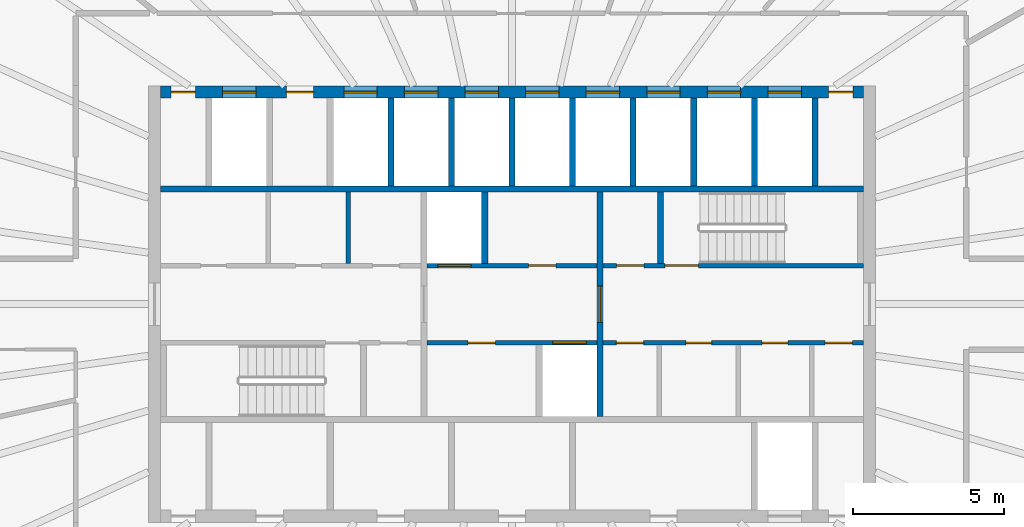
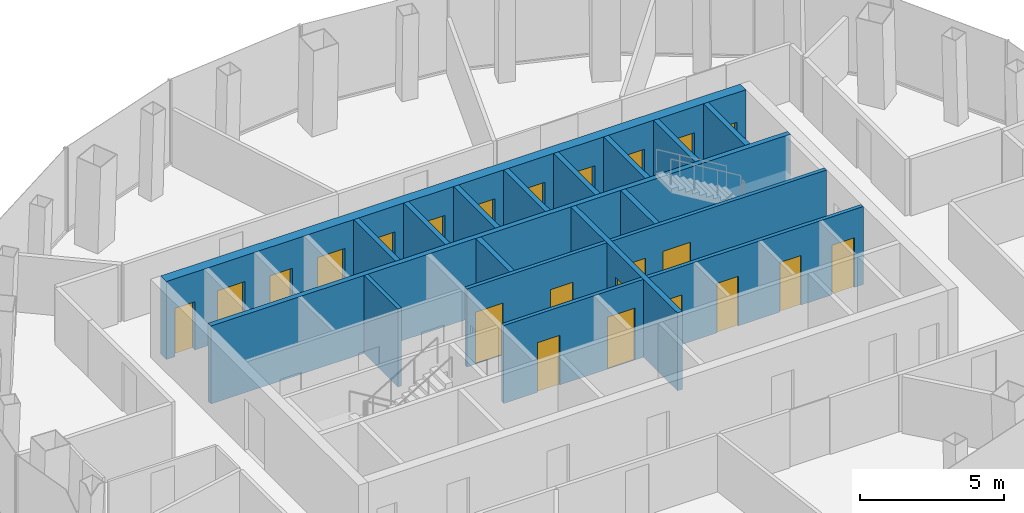
# One storey, part 10 of 12: 23 doors, 18 walls, 23 openings.
"""IFC4 building model written with IfcOpenShell, lengths in metres."""

from ifc_helpers import new_model, si_unit, direction, frame, frame_2d, origin, place, context, subcontext, project, spatial, rectangle, extrude, material, layer, layer_set, type_object, element, fill, save


model = new_model("IFC4")

# Units and contexts
model_context = context("Model", 3, precision=1e-05, world=origin(), true_north=direction((0.0, 1.0)))
body_context = subcontext(model_context, "Body", "Model", "MODEL_VIEW")
ifc_project = project(units=[si_unit("LENGTHUNIT", "METRE"), si_unit("AREAUNIT", "SQUARE_METRE"), si_unit("VOLUMEUNIT", "CUBIC_METRE"), si_unit("PLANEANGLEUNIT", "RADIAN"), si_unit("MASSUNIT", "GRAM", prefix="KILO")], contexts=[model_context])

# Site, building, storey
site_placement = place(None, origin())
site = spatial("IfcSite", under=ifc_project, at=site_placement, CompositionType="ELEMENT")
building_placement = place(site_placement, origin())
building = spatial("IfcBuilding", under=site, at=building_placement, Name="Siaravel Broadcast Tower", CompositionType="ELEMENT")
storey_placement = place(building_placement, frame((0.0, 0.0, 235.60009765625)))
storey = spatial("IfcBuildingStorey", under=building, at=storey_placement, Name="L57", CompositionType="ELEMENT", Elevation=235.60009765625)

# Wall
ifc_material_1 = material(Name="Concrete blockwork", Category="masonry")
ifc_layer_1 = layer(ifc_material_1, 0.14990234375)
ifc_layer_set_1 = layer_set([ifc_layer_1], Name="Concrete blockwork")
wall_type_1 = type_object("IfcWallType", Name="Core partition 150", PredefinedType="PARTITIONING", material=ifc_layer_set_1)
wall_1_placement = place(storey_placement, frame((-5.39892578125, 1.35009765625, 0.0), z_axis=(0.0, 0.0, 1.0), x_axis=(0.0, 1.0, 0.0)))
element("IfcWall", 1, at=wall_1_placement, inside=storey, type_object=wall_type_1, Name="L57 core partition PNW1", PredefinedType="PARTITIONING", context=body_context, shape_type="SweptSolid", body=[
    extrude(rectangle(XDim=2.349853515625, YDim=0.14990234375, at=frame_2d((1.1748046875, 0.0))), origin(), (0.0, 0.0, 1.0), 3.2998046875),
])

# Wall, openings, doors
ifc_material_2 = material(Name="Concrete C60/75", Category="concrete")
ifc_layer_2 = layer(ifc_material_2, 0.39990234375)
ifc_layer_set_2 = layer_set([ifc_layer_2], Name="Concrete C60/75")
wall_type_2 = type_object("IfcWallType", Name="Core wall 400", PredefinedType="SHEAR", material=ifc_layer_set_2)
wall_2_placement = place(storey_placement, frame((-11.60009765625, 7.0, 0.0), z_axis=(0.0, 0.0, 1.0), x_axis=(1.0, 0.0, 0.0)))
wall_2 = element("IfcWall", 2, at=wall_2_placement, inside=storey, type_object=wall_type_2, Name="L57 core wall ON", PredefinedType="SHEAR", context=body_context, shape_type="SweptSolid", body=[
    extrude(rectangle(XDim=23.2001953125, YDim=0.39990234375, at=frame_2d((11.60009765625, 0.0))), origin(), (0.0, 0.0, 1.0), 3.2998046875),
])
opening_1_placement = place(wall_2_placement, frame((2.050048828125, 0.0, 0.0)))
opening_1 = element("IfcOpeningElement", 3, at=opening_1_placement, cuts=wall_2, Name="Opening LD-SV2-L57", PredefinedType="OPENING", context=body_context, shape_type="SweptSolid", body=[
    extrude(rectangle(XDim=1.10009765625, YDim=2.199951171875, at=frame_2d((0.550048828125, 1.10009765625))), frame((0.0, 0.2099609375, 0.0), z_axis=(0.0, -1.0, 0.0), x_axis=(1.0, 0.0, 0.0)), (0.0, 0.0, 1.0), 0.419921875),
])
opening_2_placement = place(wall_2_placement, frame((6.050048828125, 0.0, 0.0)))
opening_2 = element("IfcOpeningElement", 4, at=opening_2_placement, cuts=wall_2, Name="Opening LD-HP1-L57", PredefinedType="OPENING", context=body_context, shape_type="SweptSolid", body=[
    extrude(rectangle(XDim=1.10009765625, YDim=2.199951171875, at=frame_2d((0.550048828125, 1.10009765625))), frame((0.0, 0.2099609375, 0.0), z_axis=(0.0, -1.0, 0.0), x_axis=(1.0, 0.0, 0.0)), (0.0, 0.0, 1.0), 0.419921875),
])
opening_3_placement = place(wall_2_placement, frame((8.050048828125, 0.0, 0.0)))
opening_3 = element("IfcOpeningElement", 5, at=opening_3_placement, cuts=wall_2, Name="Opening LD-HP2-L57", PredefinedType="OPENING", context=body_context, shape_type="SweptSolid", body=[
    extrude(rectangle(XDim=1.10009765625, YDim=2.199951171875, at=frame_2d((0.550048828125, 1.10009765625))), frame((0.0, 0.2099609375, 0.0), z_axis=(0.0, -1.0, 0.0), x_axis=(1.0, 0.0, 0.0)), (0.0, 0.0, 1.0), 0.419921875),
])
opening_4_placement = place(wall_2_placement, frame((10.050048828125, 0.0, 0.0)))
opening_4 = element("IfcOpeningElement", 6, at=opening_4_placement, cuts=wall_2, Name="Opening LD-HP3-L57", PredefinedType="OPENING", context=body_context, shape_type="SweptSolid", body=[
    extrude(rectangle(XDim=1.10009765625, YDim=2.199951171875, at=frame_2d((0.550048828125, 1.10009765625))), frame((0.0, 0.2099609375, 0.0), z_axis=(0.0, -1.0, 0.0), x_axis=(1.0, 0.0, 0.0)), (0.0, 0.0, 1.0), 0.419921875),
])
opening_5_placement = place(wall_2_placement, frame((12.050048828125, 0.0, 0.0)))
opening_5 = element("IfcOpeningElement", 7, at=opening_5_placement, cuts=wall_2, Name="Opening LD-HP4-L57", PredefinedType="OPENING", context=body_context, shape_type="SweptSolid", body=[
    extrude(rectangle(XDim=1.10009765625, YDim=2.199951171875, at=frame_2d((0.550048828125, 1.10009765625))), frame((0.0, 0.2099609375, 0.0), z_axis=(0.0, -1.0, 0.0), x_axis=(1.0, 0.0, 0.0)), (0.0, 0.0, 1.0), 0.419921875),
])
opening_6_placement = place(wall_2_placement, frame((14.050048828125, 0.0, 0.0)))
opening_6 = element("IfcOpeningElement", 8, at=opening_6_placement, cuts=wall_2, Name="Opening LD-HP5-L57", PredefinedType="OPENING", context=body_context, shape_type="SweptSolid", body=[
    extrude(rectangle(XDim=1.10009765625, YDim=2.199951171875, at=frame_2d((0.550048828125, 1.10009765625))), frame((0.0, 0.2099609375, 0.0), z_axis=(0.0, -1.0, 0.0), x_axis=(1.0, 0.0, 0.0)), (0.0, 0.0, 1.0), 0.419921875),
])
opening_7_placement = place(wall_2_placement, frame((16.050048828125, 0.0, 0.0)))
opening_7 = element("IfcOpeningElement", 9, at=opening_7_placement, cuts=wall_2, Name="Opening LD-HP6-L57", PredefinedType="OPENING", context=body_context, shape_type="SweptSolid", body=[
    extrude(rectangle(XDim=1.10009765625, YDim=2.199951171875, at=frame_2d((0.550048828125, 1.10009765625))), frame((0.0, 0.2099609375, 0.0), z_axis=(0.0, -1.0, 0.0), x_axis=(1.0, 0.0, 0.0)), (0.0, 0.0, 1.0), 0.419921875),
])
opening_8_placement = place(wall_2_placement, frame((18.050048828125, 0.0, 0.0)))
opening_8 = element("IfcOpeningElement", 10, at=opening_8_placement, cuts=wall_2, Name="Opening LD-HP7-L57", PredefinedType="OPENING", context=body_context, shape_type="SweptSolid", body=[
    extrude(rectangle(XDim=1.10009765625, YDim=2.199951171875, at=frame_2d((0.550048828125, 1.10009765625))), frame((0.0, 0.2099609375, 0.0), z_axis=(0.0, -1.0, 0.0), x_axis=(1.0, 0.0, 0.0)), (0.0, 0.0, 1.0), 0.419921875),
])
opening_9_placement = place(wall_2_placement, frame((20.050048828125, 0.0, 0.0)))
opening_9 = element("IfcOpeningElement", 11, at=opening_9_placement, cuts=wall_2, Name="Opening LD-HP8-L57", PredefinedType="OPENING", context=body_context, shape_type="SweptSolid", body=[
    extrude(rectangle(XDim=1.10009765625, YDim=2.199951171875, at=frame_2d((0.550048828125, 1.10009765625))), frame((0.0, 0.2099609375, 0.0), z_axis=(0.0, -1.0, 0.0), x_axis=(1.0, 0.0, 0.0)), (0.0, 0.0, 1.0), 0.419921875),
])
opening_10_placement = place(wall_2_placement, frame((4.14990234375, 0.0, 0.0)))
opening_10 = element("IfcOpeningElement", 12, at=opening_10_placement, cuts=wall_2, Name="Opening L57-DFN1", PredefinedType="OPENING", context=body_context, shape_type="SweptSolid", body=[
    extrude(rectangle(XDim=0.89990234375, YDim=2.10009765625, at=frame_2d((0.449951171875, 1.050048828125))), frame((0.0, 0.2099609375, 0.0), z_axis=(0.0, -1.0, 0.0), x_axis=(1.0, 0.0, 0.0)), (0.0, 0.0, 1.0), 0.419921875),
])
opening_11_placement = place(wall_2_placement, frame((0.35009765625, 0.0, 0.0)))
opening_11 = element("IfcOpeningElement", 13, at=opening_11_placement, cuts=wall_2, Name="Opening L57-DRNW", PredefinedType="OPENING", context=body_context, shape_type="SweptSolid", body=[
    extrude(rectangle(XDim=0.800048828125, YDim=2.050048828125, at=frame_2d((0.39990234375, 1.02490234375))), frame((0.0, 0.2099609375, 0.0), z_axis=(0.0, -1.0, 0.0), x_axis=(1.0, 0.0, 0.0)), (0.0, 0.0, 1.0), 0.419921875),
])
opening_12_placement = place(wall_2_placement, frame((22.050048828125, 0.0, 0.0)))
opening_12 = element("IfcOpeningElement", 14, at=opening_12_placement, cuts=wall_2, Name="Opening L57-DRNE", PredefinedType="OPENING", context=body_context, shape_type="SweptSolid", body=[
    extrude(rectangle(XDim=0.800048828125, YDim=2.050048828125, at=frame_2d((0.39990234375, 1.02490234375))), frame((0.0, 0.2099609375, 0.0), z_axis=(0.0, -1.0, 0.0), x_axis=(1.0, 0.0, 0.0)), (0.0, 0.0, 1.0), 0.419921875),
])
ifc_material_3 = material(Name="Timber veneer", Category="wood")
door_type_1 = type_object("IfcDoorType", Name="Core room door 900", OperationType="SINGLE_SWING_LEFT", PredefinedType="DOOR", material=ifc_material_3)
door_1_placement = place(opening_10_placement, origin())
door_1 = element("IfcDoor", 15, at=door_1_placement, inside=storey, type_object=door_type_1, Name="L57 door DFN1", OperationType="SINGLE_SWING_LEFT", OverallHeight=2.10009765625, OverallWidth=0.89990234375, PredefinedType="DOOR", context=body_context, shape_type="SweptSolid", body=[
    extrude(rectangle(XDim=0.89990234375, YDim=2.10009765625, at=frame_2d((0.449951171875, 1.050048828125))), frame((0.0, 0.02490234375, 0.0), z_axis=(0.0, -1.0, 0.0), x_axis=(1.0, 0.0, 0.0)), (0.0, 0.0, 1.0), 0.050048828125),
])
fill(opening_10, door_1)
ifc_material_4 = material(Name="Stainless steel 316L", Category="steel")
door_type_2 = type_object("IfcDoorType", Name="Lift landing door 1100", OperationType="DOUBLE_DOOR_SLIDING", PredefinedType="DOOR", material=ifc_material_4)
door_2_placement = place(opening_2_placement, origin())
door_2 = element("IfcDoor", 16, at=door_2_placement, inside=storey, type_object=door_type_2, Name="Landing door HP1 L57", OperationType="DOUBLE_DOOR_SLIDING", OverallHeight=2.199951171875, OverallWidth=1.10009765625, PredefinedType="DOOR", context=body_context, shape_type="SweptSolid", body=[
    extrude(rectangle(XDim=1.10009765625, YDim=2.199951171875, at=frame_2d((0.550048828125, 1.10009765625))), frame((0.0, 0.02490234375, 0.0), z_axis=(0.0, -1.0, 0.0), x_axis=(1.0, 0.0, 0.0)), (0.0, 0.0, 1.0), 0.050048828125),
])
fill(opening_2, door_2)
door_3_placement = place(opening_3_placement, origin())
door_3 = element("IfcDoor", 17, at=door_3_placement, inside=storey, type_object=door_type_2, Name="Landing door HP2 L57", OperationType="DOUBLE_DOOR_SLIDING", OverallHeight=2.199951171875, OverallWidth=1.10009765625, PredefinedType="DOOR", context=body_context, shape_type="SweptSolid", body=[
    extrude(rectangle(XDim=1.10009765625, YDim=2.199951171875, at=frame_2d((0.550048828125, 1.10009765625))), frame((0.0, 0.02490234375, 0.0), z_axis=(0.0, -1.0, 0.0), x_axis=(1.0, 0.0, 0.0)), (0.0, 0.0, 1.0), 0.050048828125),
])
fill(opening_3, door_3)
door_4_placement = place(opening_4_placement, origin())
door_4 = element("IfcDoor", 18, at=door_4_placement, inside=storey, type_object=door_type_2, Name="Landing door HP3 L57", OperationType="DOUBLE_DOOR_SLIDING", OverallHeight=2.199951171875, OverallWidth=1.10009765625, PredefinedType="DOOR", context=body_context, shape_type="SweptSolid", body=[
    extrude(rectangle(XDim=1.10009765625, YDim=2.199951171875, at=frame_2d((0.550048828125, 1.10009765625))), frame((0.0, 0.02490234375, 0.0), z_axis=(0.0, -1.0, 0.0), x_axis=(1.0, 0.0, 0.0)), (0.0, 0.0, 1.0), 0.050048828125),
])
fill(opening_4, door_4)
door_5_placement = place(opening_5_placement, origin())
door_5 = element("IfcDoor", 19, at=door_5_placement, inside=storey, type_object=door_type_2, Name="Landing door HP4 L57", OperationType="DOUBLE_DOOR_SLIDING", OverallHeight=2.199951171875, OverallWidth=1.10009765625, PredefinedType="DOOR", context=body_context, shape_type="SweptSolid", body=[
    extrude(rectangle(XDim=1.10009765625, YDim=2.199951171875, at=frame_2d((0.550048828125, 1.10009765625))), frame((0.0, 0.02490234375, 0.0), z_axis=(0.0, -1.0, 0.0), x_axis=(1.0, 0.0, 0.0)), (0.0, 0.0, 1.0), 0.050048828125),
])
fill(opening_5, door_5)
door_6_placement = place(opening_6_placement, origin())
door_6 = element("IfcDoor", 20, at=door_6_placement, inside=storey, type_object=door_type_2, Name="Landing door HP5 L57", OperationType="DOUBLE_DOOR_SLIDING", OverallHeight=2.199951171875, OverallWidth=1.10009765625, PredefinedType="DOOR", context=body_context, shape_type="SweptSolid", body=[
    extrude(rectangle(XDim=1.10009765625, YDim=2.199951171875, at=frame_2d((0.550048828125, 1.10009765625))), frame((0.0, 0.02490234375, 0.0), z_axis=(0.0, -1.0, 0.0), x_axis=(1.0, 0.0, 0.0)), (0.0, 0.0, 1.0), 0.050048828125),
])
fill(opening_6, door_6)
door_7_placement = place(opening_7_placement, origin())
door_7 = element("IfcDoor", 21, at=door_7_placement, inside=storey, type_object=door_type_2, Name="Landing door HP6 L57", OperationType="DOUBLE_DOOR_SLIDING", OverallHeight=2.199951171875, OverallWidth=1.10009765625, PredefinedType="DOOR", context=body_context, shape_type="SweptSolid", body=[
    extrude(rectangle(XDim=1.10009765625, YDim=2.199951171875, at=frame_2d((0.550048828125, 1.10009765625))), frame((0.0, 0.02490234375, 0.0), z_axis=(0.0, -1.0, 0.0), x_axis=(1.0, 0.0, 0.0)), (0.0, 0.0, 1.0), 0.050048828125),
])
fill(opening_7, door_7)
door_8_placement = place(opening_8_placement, origin())
door_8 = element("IfcDoor", 22, at=door_8_placement, inside=storey, type_object=door_type_2, Name="Landing door HP7 L57", OperationType="DOUBLE_DOOR_SLIDING", OverallHeight=2.199951171875, OverallWidth=1.10009765625, PredefinedType="DOOR", context=body_context, shape_type="SweptSolid", body=[
    extrude(rectangle(XDim=1.10009765625, YDim=2.199951171875, at=frame_2d((0.550048828125, 1.10009765625))), frame((0.0, 0.02490234375, 0.0), z_axis=(0.0, -1.0, 0.0), x_axis=(1.0, 0.0, 0.0)), (0.0, 0.0, 1.0), 0.050048828125),
])
fill(opening_8, door_8)
door_9_placement = place(opening_9_placement, origin())
door_9 = element("IfcDoor", 23, at=door_9_placement, inside=storey, type_object=door_type_2, Name="Landing door HP8 L57", OperationType="DOUBLE_DOOR_SLIDING", OverallHeight=2.199951171875, OverallWidth=1.10009765625, PredefinedType="DOOR", context=body_context, shape_type="SweptSolid", body=[
    extrude(rectangle(XDim=1.10009765625, YDim=2.199951171875, at=frame_2d((0.550048828125, 1.10009765625))), frame((0.0, 0.02490234375, 0.0), z_axis=(0.0, -1.0, 0.0), x_axis=(1.0, 0.0, 0.0)), (0.0, 0.0, 1.0), 0.050048828125),
])
fill(opening_9, door_9)
ifc_material_5 = material(Name="Steel", Category="steel")
door_type_3 = type_object("IfcDoorType", Name="Riser door 800", OperationType="SINGLE_SWING_LEFT", PredefinedType="DOOR", material=ifc_material_5)
door_10_placement = place(opening_11_placement, origin())
door_10 = element("IfcDoor", 24, at=door_10_placement, inside=storey, type_object=door_type_3, Name="L57 door DRNW", OperationType="SINGLE_SWING_LEFT", OverallHeight=2.050048828125, OverallWidth=0.800048828125, PredefinedType="DOOR", context=body_context, shape_type="SweptSolid", body=[
    extrude(rectangle(XDim=0.800048828125, YDim=2.050048828125, at=frame_2d((0.39990234375, 1.02490234375))), frame((0.0, 0.02490234375, 0.0), z_axis=(0.0, -1.0, 0.0), x_axis=(1.0, 0.0, 0.0)), (0.0, 0.0, 1.0), 0.050048828125),
])
fill(opening_11, door_10)
door_11_placement = place(opening_12_placement, origin())
door_11 = element("IfcDoor", 25, at=door_11_placement, inside=storey, type_object=door_type_3, Name="L57 door DRNE", OperationType="SINGLE_SWING_LEFT", OverallHeight=2.050048828125, OverallWidth=0.800048828125, PredefinedType="DOOR", context=body_context, shape_type="SweptSolid", body=[
    extrude(rectangle(XDim=0.800048828125, YDim=2.050048828125, at=frame_2d((0.39990234375, 1.02490234375))), frame((0.0, 0.02490234375, 0.0), z_axis=(0.0, -1.0, 0.0), x_axis=(1.0, 0.0, 0.0)), (0.0, 0.0, 1.0), 0.050048828125),
])
fill(opening_12, door_11)
door_type_4 = type_object("IfcDoorType", Name="Service lift landing door 1100", OperationType="DOUBLE_DOOR_SLIDING", PredefinedType="DOOR", material=ifc_material_4)
door_12_placement = place(opening_1_placement, origin())
door_12 = element("IfcDoor", 26, at=door_12_placement, inside=storey, type_object=door_type_4, Name="Landing door SV2 L57", OperationType="DOUBLE_DOOR_SLIDING", OverallHeight=2.199951171875, OverallWidth=1.10009765625, PredefinedType="DOOR", context=body_context, shape_type="SweptSolid", body=[
    extrude(rectangle(XDim=1.10009765625, YDim=2.199951171875, at=frame_2d((0.550048828125, 1.10009765625))), frame((0.0, 0.02490234375, 0.0), z_axis=(0.0, -1.0, 0.0), x_axis=(1.0, 0.0, 0.0)), (0.0, 0.0, 1.0), 0.050048828125),
])
fill(opening_1, door_12)

ifc_material_6 = material(Name="Gypsum board partition", Category="gypsum")
ifc_layer_3 = layer(ifc_material_6, 0.14990234375)
ifc_layer_set_3 = layer_set([ifc_layer_3], Name="Gypsum board partition")
wall_type_3 = type_object("IfcWallType", Name="Corridor wall 150", PredefinedType="PARTITIONING", material=ifc_layer_set_3)
wall_3_placement = place(storey_placement, frame((3.0, -1.27490234375, 0.0), z_axis=(0.0, 0.0, 1.0), x_axis=(1.0, 0.0, 0.0)))
wall_3 = element("IfcWall", 27, at=wall_3_placement, inside=storey, type_object=wall_type_3, Name="L57 core partition CSE", PredefinedType="PARTITIONING", context=body_context, shape_type="SweptSolid", body=[
    extrude(rectangle(XDim=8.60009765625, YDim=0.14990234375, at=frame_2d((4.300048828125, 0.0))), origin(), (0.0, 0.0, 1.0), 3.2998046875),
])
opening_13_placement = place(wall_3_placement, frame((0.446533203125, 0.0, 0.0)))
opening_13 = element("IfcOpeningElement", 28, at=opening_13_placement, cuts=wall_3, Name="Opening L57-DSE0", PredefinedType="OPENING", context=body_context, shape_type="SweptSolid", body=[
    extrude(rectangle(XDim=0.89990234375, YDim=2.10009765625, at=frame_2d((0.449951171875, 1.050048828125))), frame((0.0, 0.0849609375, 0.0), z_axis=(0.0, -1.0, 0.0), x_axis=(1.0, 0.0, 0.0)), (0.0, 0.0, 1.0), 0.169921875),
])
opening_14_placement = place(wall_3_placement, frame((2.740478515625, 0.0, 0.0)))
opening_14 = element("IfcOpeningElement", 29, at=opening_14_placement, cuts=wall_3, Name="Opening L57-DSE1", PredefinedType="OPENING", context=body_context, shape_type="SweptSolid", body=[
    extrude(rectangle(XDim=0.85009765625, YDim=2.10009765625, at=frame_2d((0.425048828125, 1.050048828125))), frame((0.0, 0.0849609375, 0.0), z_axis=(0.0, -1.0, 0.0), x_axis=(1.0, 0.0, 0.0)), (0.0, 0.0, 1.0), 0.169921875),
])
opening_15_placement = place(wall_3_placement, frame((5.25390625, 0.0, 0.0)))
opening_15 = element("IfcOpeningElement", 30, at=opening_15_placement, cuts=wall_3, Name="Opening L57-DSE2", PredefinedType="OPENING", context=body_context, shape_type="SweptSolid", body=[
    extrude(rectangle(XDim=0.85009765625, YDim=2.10009765625, at=frame_2d((0.425048828125, 1.050048828125))), frame((0.0, 0.0849609375, 0.0), z_axis=(0.0, -1.0, 0.0), x_axis=(1.0, 0.0, 0.0)), (0.0, 0.0, 1.0), 0.169921875),
])
opening_16_placement = place(wall_3_placement, frame((7.3349609375, 0.0, 0.0)))
opening_16 = element("IfcOpeningElement", 31, at=opening_16_placement, cuts=wall_3, Name="Opening L57-DSE3", PredefinedType="OPENING", context=body_context, shape_type="SweptSolid", body=[
    extrude(rectangle(XDim=0.89990234375, YDim=2.10009765625, at=frame_2d((0.449951171875, 1.050048828125))), frame((0.0, 0.0849609375, 0.0), z_axis=(0.0, -1.0, 0.0), x_axis=(1.0, 0.0, 0.0)), (0.0, 0.0, 1.0), 0.169921875),
])
door_13_placement = place(opening_13_placement, origin())
door_13 = element("IfcDoor", 32, at=door_13_placement, inside=storey, type_object=door_type_1, Name="L57 door DSE0", OperationType="SINGLE_SWING_LEFT", OverallHeight=2.10009765625, OverallWidth=0.89990234375, PredefinedType="DOOR", context=body_context, shape_type="SweptSolid", body=[
    extrude(rectangle(XDim=0.89990234375, YDim=2.10009765625, at=frame_2d((0.449951171875, 1.050048828125))), frame((0.0, 0.02490234375, 0.0), z_axis=(0.0, -1.0, 0.0), x_axis=(1.0, 0.0, 0.0)), (0.0, 0.0, 1.0), 0.050048828125),
])
fill(opening_13, door_13)
door_14_placement = place(opening_16_placement, origin())
door_14 = element("IfcDoor", 33, at=door_14_placement, inside=storey, type_object=door_type_1, Name="L57 door DSE3", OperationType="SINGLE_SWING_LEFT", OverallHeight=2.10009765625, OverallWidth=0.89990234375, PredefinedType="DOOR", context=body_context, shape_type="SweptSolid", body=[
    extrude(rectangle(XDim=0.89990234375, YDim=2.10009765625, at=frame_2d((0.449951171875, 1.050048828125))), frame((0.0, 0.02490234375, 0.0), z_axis=(0.0, -1.0, 0.0), x_axis=(1.0, 0.0, 0.0)), (0.0, 0.0, 1.0), 0.050048828125),
])
fill(opening_16, door_14)
door_type_5 = type_object("IfcDoorType", Name="Core toilet door 850", OperationType="SINGLE_SWING_LEFT", PredefinedType="DOOR", material=ifc_material_3)
door_15_placement = place(opening_14_placement, origin())
door_15 = element("IfcDoor", 34, at=door_15_placement, inside=storey, type_object=door_type_5, Name="L57 door DSE1", OperationType="SINGLE_SWING_LEFT", OverallHeight=2.10009765625, OverallWidth=0.85009765625, PredefinedType="DOOR", context=body_context, shape_type="SweptSolid", body=[
    extrude(rectangle(XDim=0.85009765625, YDim=2.10009765625, at=frame_2d((0.425048828125, 1.050048828125))), frame((0.0, 0.02490234375, 0.0), z_axis=(0.0, -1.0, 0.0), x_axis=(1.0, 0.0, 0.0)), (0.0, 0.0, 1.0), 0.050048828125),
])
fill(opening_14, door_15)
door_16_placement = place(opening_15_placement, origin())
door_16 = element("IfcDoor", 35, at=door_16_placement, inside=storey, type_object=door_type_5, Name="L57 door DSE2", OperationType="SINGLE_SWING_LEFT", OverallHeight=2.10009765625, OverallWidth=0.85009765625, PredefinedType="DOOR", context=body_context, shape_type="SweptSolid", body=[
    extrude(rectangle(XDim=0.85009765625, YDim=2.10009765625, at=frame_2d((0.425048828125, 1.050048828125))), frame((0.0, 0.02490234375, 0.0), z_axis=(0.0, -1.0, 0.0), x_axis=(1.0, 0.0, 0.0)), (0.0, 0.0, 1.0), 0.050048828125),
])
fill(opening_15, door_16)

ifc_layer_4 = layer(ifc_material_2, 0.14990234375)
ifc_layer_set_4 = layer_set([ifc_layer_4], Name="Concrete C60/75")
wall_type_4 = type_object("IfcWallType", Name="Shaft wall 150", PredefinedType="SHEAR", material=ifc_layer_set_4)
wall_4_placement = place(storey_placement, frame((-2.800048828125, -1.27490234375, 0.0), z_axis=(0.0, 0.0, 1.0), x_axis=(1.0, 0.0, 0.0)))
wall_4 = element("IfcWall", 36, at=wall_4_placement, inside=storey, type_object=wall_type_4, Name="L57 core wall CSM", PredefinedType="SHEAR", context=body_context, shape_type="SweptSolid", body=[
    extrude(rectangle(XDim=5.60009765625, YDim=0.14990234375, at=frame_2d((2.800048828125, 0.0))), origin(), (0.0, 0.0, 1.0), 3.2998046875),
])
opening_17_placement = place(wall_4_placement, frame((4.14990234375, 0.0, 0.0)))
opening_17 = element("IfcOpeningElement", 37, at=opening_17_placement, cuts=wall_4, Name="Opening LD-FL2-L57", PredefinedType="OPENING", context=body_context, shape_type="SweptSolid", body=[
    extrude(rectangle(XDim=1.10009765625, YDim=2.199951171875, at=frame_2d((0.550048828125, 1.10009765625))), frame((0.0, 0.0849609375, 0.0), z_axis=(0.0, -1.0, 0.0), x_axis=(1.0, 0.0, 0.0)), (0.0, 0.0, 1.0), 0.169921875),
])
opening_18_placement = place(wall_4_placement, frame((1.35009765625, 0.0, 0.0)))
opening_18 = element("IfcOpeningElement", 38, at=opening_18_placement, cuts=wall_4, Name="Opening L57-DSM0", PredefinedType="OPENING", context=body_context, shape_type="SweptSolid", body=[
    extrude(rectangle(XDim=0.89990234375, YDim=2.10009765625, at=frame_2d((0.449951171875, 1.050048828125))), frame((0.0, 0.0849609375, 0.0), z_axis=(0.0, -1.0, 0.0), x_axis=(1.0, 0.0, 0.0)), (0.0, 0.0, 1.0), 0.169921875),
])
door_17_placement = place(opening_18_placement, origin())
door_17 = element("IfcDoor", 39, at=door_17_placement, inside=storey, type_object=door_type_1, Name="L57 door DSM0", OperationType="SINGLE_SWING_LEFT", OverallHeight=2.10009765625, OverallWidth=0.89990234375, PredefinedType="DOOR", context=body_context, shape_type="SweptSolid", body=[
    extrude(rectangle(XDim=0.89990234375, YDim=2.10009765625, at=frame_2d((0.449951171875, 1.050048828125))), frame((0.0, 0.02490234375, 0.0), z_axis=(0.0, -1.0, 0.0), x_axis=(1.0, 0.0, 0.0)), (0.0, 0.0, 1.0), 0.050048828125),
])
fill(opening_18, door_17)
door_type_6 = type_object("IfcDoorType", Name="Firefighting lift landing door 1100", OperationType="DOUBLE_DOOR_SLIDING", PredefinedType="DOOR", material=ifc_material_4)
door_18_placement = place(opening_17_placement, origin())
door_18 = element("IfcDoor", 40, at=door_18_placement, inside=storey, type_object=door_type_6, Name="Landing door FL2 L57", OperationType="DOUBLE_DOOR_SLIDING", OverallHeight=2.199951171875, OverallWidth=1.10009765625, PredefinedType="DOOR", context=body_context, shape_type="SweptSolid", body=[
    extrude(rectangle(XDim=1.10009765625, YDim=2.199951171875, at=frame_2d((0.550048828125, 1.10009765625))), frame((0.0, 0.02490234375, 0.0), z_axis=(0.0, -1.0, 0.0), x_axis=(1.0, 0.0, 0.0)), (0.0, 0.0, 1.0), 0.050048828125),
])
fill(opening_17, door_18)

wall_5_placement = place(storey_placement, frame((-2.800048828125, 1.27490234375, 0.0), z_axis=(0.0, 0.0, 1.0), x_axis=(1.0, 0.0, 0.0)))
wall_5 = element("IfcWall", 41, at=wall_5_placement, inside=storey, type_object=wall_type_4, Name="L57 core wall CNM", PredefinedType="SHEAR", context=body_context, shape_type="SweptSolid", body=[
    extrude(rectangle(XDim=5.60009765625, YDim=0.14990234375, at=frame_2d((2.800048828125, 0.0))), origin(), (0.0, 0.0, 1.0), 3.2998046875),
])
opening_19_placement = place(wall_5_placement, frame((0.35009765625, 0.0, 0.0)))
opening_19 = element("IfcOpeningElement", 42, at=opening_19_placement, cuts=wall_5, Name="Opening LD-FL1-L57", PredefinedType="OPENING", context=body_context, shape_type="SweptSolid", body=[
    extrude(rectangle(XDim=1.10009765625, YDim=2.199951171875, at=frame_2d((0.550048828125, 1.10009765625))), frame((0.0, 0.0849609375, 0.0), z_axis=(0.0, -1.0, 0.0), x_axis=(1.0, 0.0, 0.0)), (0.0, 0.0, 1.0), 0.169921875),
])
opening_20_placement = place(wall_5_placement, frame((3.35009765625, 0.0, 0.0)))
opening_20 = element("IfcOpeningElement", 43, at=opening_20_placement, cuts=wall_5, Name="Opening L57-DNM0", PredefinedType="OPENING", context=body_context, shape_type="SweptSolid", body=[
    extrude(rectangle(XDim=0.89990234375, YDim=2.10009765625, at=frame_2d((0.449951171875, 1.050048828125))), frame((0.0, 0.0849609375, 0.0), z_axis=(0.0, -1.0, 0.0), x_axis=(1.0, 0.0, 0.0)), (0.0, 0.0, 1.0), 0.169921875),
])
door_19_placement = place(opening_20_placement, origin())
door_19 = element("IfcDoor", 44, at=door_19_placement, inside=storey, type_object=door_type_1, Name="L57 door DNM0", OperationType="SINGLE_SWING_LEFT", OverallHeight=2.10009765625, OverallWidth=0.89990234375, PredefinedType="DOOR", context=body_context, shape_type="SweptSolid", body=[
    extrude(rectangle(XDim=0.89990234375, YDim=2.10009765625, at=frame_2d((0.449951171875, 1.050048828125))), frame((0.0, 0.02490234375, 0.0), z_axis=(0.0, -1.0, 0.0), x_axis=(1.0, 0.0, 0.0)), (0.0, 0.0, 1.0), 0.050048828125),
])
fill(opening_20, door_19)
door_20_placement = place(opening_19_placement, origin())
door_20 = element("IfcDoor", 45, at=door_20_placement, inside=storey, type_object=door_type_6, Name="Landing door FL1 L57", OperationType="DOUBLE_DOOR_SLIDING", OverallHeight=2.199951171875, OverallWidth=1.10009765625, PredefinedType="DOOR", context=body_context, shape_type="SweptSolid", body=[
    extrude(rectangle(XDim=1.10009765625, YDim=2.199951171875, at=frame_2d((0.550048828125, 1.10009765625))), frame((0.0, 0.02490234375, 0.0), z_axis=(0.0, -1.0, 0.0), x_axis=(1.0, 0.0, 0.0)), (0.0, 0.0, 1.0), 0.050048828125),
])
fill(opening_19, door_20)

wall_6_placement = place(storey_placement, frame((3.0, 1.27490234375, 0.0), z_axis=(0.0, 0.0, 1.0), x_axis=(1.0, 0.0, 0.0)))
wall_6 = element("IfcWall", 46, at=wall_6_placement, inside=storey, type_object=wall_type_4, Name="L57 core wall CNE", PredefinedType="SHEAR", context=body_context, shape_type="SweptSolid", body=[
    extrude(rectangle(XDim=8.60009765625, YDim=0.14990234375, at=frame_2d((4.300048828125, 0.0))), origin(), (0.0, 0.0, 1.0), 3.2998046875),
])
opening_21_placement = place(wall_6_placement, frame((2.050048828125, 0.0, 0.0)))
opening_21 = element("IfcOpeningElement", 47, at=opening_21_placement, cuts=wall_6, Name="Opening L57-DS-2", PredefinedType="OPENING", context=body_context, shape_type="SweptSolid", body=[
    extrude(rectangle(XDim=1.10009765625, YDim=2.14990234375, at=frame_2d((0.550048828125, 1.074951171875))), frame((0.0, 0.0849609375, 0.0), z_axis=(0.0, -1.0, 0.0), x_axis=(1.0, 0.0, 0.0)), (0.0, 0.0, 1.0), 0.169921875),
])
opening_22_placement = place(wall_6_placement, frame((0.449951171875, 0.0, 0.0)))
opening_22 = element("IfcOpeningElement", 48, at=opening_22_placement, cuts=wall_6, Name="Opening L57-DNE0", PredefinedType="OPENING", context=body_context, shape_type="SweptSolid", body=[
    extrude(rectangle(XDim=0.89990234375, YDim=2.10009765625, at=frame_2d((0.449951171875, 1.050048828125))), frame((0.0, 0.0849609375, 0.0), z_axis=(0.0, -1.0, 0.0), x_axis=(1.0, 0.0, 0.0)), (0.0, 0.0, 1.0), 0.169921875),
])
door_21_placement = place(opening_22_placement, origin())
door_21 = element("IfcDoor", 49, at=door_21_placement, inside=storey, type_object=door_type_1, Name="L57 door DNE0", OperationType="SINGLE_SWING_LEFT", OverallHeight=2.10009765625, OverallWidth=0.89990234375, PredefinedType="DOOR", context=body_context, shape_type="SweptSolid", body=[
    extrude(rectangle(XDim=0.89990234375, YDim=2.10009765625, at=frame_2d((0.449951171875, 1.050048828125))), frame((0.0, 0.02490234375, 0.0), z_axis=(0.0, -1.0, 0.0), x_axis=(1.0, 0.0, 0.0)), (0.0, 0.0, 1.0), 0.050048828125),
])
fill(opening_22, door_21)
door_type_7 = type_object("IfcDoorType", Name="Stair door 1100", OperationType="SINGLE_SWING_LEFT", PredefinedType="DOOR", material=ifc_material_5)
door_22_placement = place(opening_21_placement, origin())
door_22 = element("IfcDoor", 50, at=door_22_placement, inside=storey, type_object=door_type_7, Name="L57 door DS-2", OperationType="SINGLE_SWING_LEFT", OverallHeight=2.14990234375, OverallWidth=1.10009765625, PredefinedType="DOOR", context=body_context, shape_type="SweptSolid", body=[
    extrude(rectangle(XDim=1.10009765625, YDim=2.14990234375, at=frame_2d((0.550048828125, 1.074951171875))), frame((0.0, 0.02490234375, 0.0), z_axis=(0.0, -1.0, 0.0), x_axis=(1.0, 0.0, 0.0)), (0.0, 0.0, 1.0), 0.050048828125),
])
fill(opening_21, door_22)

# Walls
ifc_layer_5 = layer(ifc_material_2, 0.199951171875)
ifc_layer_set_5 = layer_set([ifc_layer_5], Name="Concrete C60/75")
wall_type_5 = type_object("IfcWallType", Name="Shaft wall 200", PredefinedType="SHEAR", material=ifc_layer_set_5)
wall_7_placement = place(storey_placement, frame((-11.60009765625, 3.800048828125, 0.0), z_axis=(0.0, 0.0, 1.0), x_axis=(1.0, 0.0, 0.0)))
element("IfcWall", 51, at=wall_7_placement, inside=storey, type_object=wall_type_5, Name="L57 core wall BN", PredefinedType="SHEAR", context=body_context, shape_type="SweptSolid", body=[
    extrude(rectangle(XDim=23.2001953125, YDim=0.199951171875, at=frame_2d((11.60009765625, 0.0))), origin(), (0.0, 0.0, 1.0), 3.2998046875),
])
for number, where, z_axis, x_axis, name in (
    (52, (-4.0, 3.89990234375, 0.0), (0.0, 0.0, 1.0), (0.0, 1.0, 0.0), "L57 core wall SWN3"),
    (53, (-2.0, 3.89990234375, 0.0), (0.0, 0.0, 1.0), (0.0, 1.0, 0.0), "L57 core wall SWN4"),
    (54, (0.0, 3.89990234375, 0.0), (0.0, 0.0, 1.0), (0.0, 1.0, 0.0), "L57 core wall SWN5"),
    (55, (2.0, 3.89990234375, 0.0), (0.0, 0.0, 1.0), (0.0, 1.0, 0.0), "L57 core wall SWN6"),
    (56, (4.0, 3.89990234375, 0.0), (0.0, 0.0, 1.0), (0.0, 1.0, 0.0), "L57 core wall SWN7"),
    (57, (6.0, 3.89990234375, 0.0), (0.0, 0.0, 1.0), (0.0, 1.0, 0.0), "L57 core wall SWN8"),
    (58, (8.0, 3.89990234375, 0.0), (0.0, 0.0, 1.0), (0.0, 1.0, 0.0), "L57 core wall SWN9"),
    (59, (10.0, 3.89990234375, 0.0), (0.0, 0.0, 1.0), (0.0, 1.0, 0.0), "L57 core wall SWN10"),
):
    element("IfcWall", number, at=place(storey_placement, frame(where, z_axis=z_axis, x_axis=x_axis)), inside=storey, type_object=wall_type_5, Name=name, PredefinedType="SHEAR", context=body_context, shape_type="SweptSolid", body=[
        extrude(rectangle(XDim=2.900146484375, YDim=0.199951171875, at=frame_2d((1.4501953125, 0.0))), origin(), (0.0, 0.0, 1.0), 3.2998046875),
    ])

# Wall, opening, door
wall_8_placement = place(storey_placement, frame((2.89990234375, -3.699951171875, 0.0), z_axis=(0.0, 0.0, 1.0), x_axis=(0.0, 1.0, 0.0)))
wall_8 = element("IfcWall", 60, at=wall_8_placement, inside=storey, type_object=wall_type_5, Name="L57 core wall LE", PredefinedType="SHEAR", context=body_context, shape_type="SweptSolid", body=[
    extrude(rectangle(XDim=7.39990234375, YDim=0.199951171875, at=frame_2d((3.699951171875, 0.0))), origin(), (0.0, 0.0, 1.0), 3.2998046875),
])
opening_23_placement = place(wall_8_placement, frame((3.10009765625, 0.0, 0.0)))
opening_23 = element("IfcOpeningElement", 61, at=opening_23_placement, cuts=wall_8, Name="Opening L57-DL-E", PredefinedType="OPENING", context=body_context, shape_type="SweptSolid", body=[
    extrude(rectangle(XDim=1.199951171875, YDim=2.199951171875, at=frame_2d((0.60009765625, 1.10009765625))), frame((0.0, 0.10986328125, 0.0), z_axis=(0.0, -1.0, 0.0), x_axis=(1.0, 0.0, 0.0)), (0.0, 0.0, 1.0), 0.219970703125),
])
door_type_8 = type_object("IfcDoorType", Name="Firefighting lobby door 1200", OperationType="SINGLE_SWING_LEFT", PredefinedType="DOOR", material=ifc_material_5)
door_23_placement = place(opening_23_placement, origin())
door_23 = element("IfcDoor", 62, at=door_23_placement, inside=storey, type_object=door_type_8, Name="L57 door DL-E", OperationType="SINGLE_SWING_LEFT", OverallHeight=2.199951171875, OverallWidth=1.199951171875, PredefinedType="DOOR", context=body_context, shape_type="SweptSolid", body=[
    extrude(rectangle(XDim=1.199951171875, YDim=2.199951171875, at=frame_2d((0.60009765625, 1.10009765625))), frame((0.0, 0.02490234375, 0.0), z_axis=(0.0, -1.0, 0.0), x_axis=(1.0, 0.0, 0.0)), (0.0, 0.0, 1.0), 0.050048828125),
])
fill(opening_23, door_23)

# Walls
for number, where, z_axis, x_axis, name in (
    (63, (-0.89990234375, 1.35009765625, 0.0), (0.0, 0.0, 1.0), (0.0, 1.0, 0.0), "L57 core wall FF1E"),
    (64, (4.89990234375, 1.35009765625, 0.0), (0.0, 0.0, 1.0), (0.0, 1.0, 0.0), "L57 core wall ST2W"),
):
    element("IfcWall", number, at=place(storey_placement, frame(where, z_axis=z_axis, x_axis=x_axis)), inside=storey, type_object=wall_type_5, Name=name, PredefinedType="SHEAR", context=body_context, shape_type="SweptSolid", body=[
        extrude(rectangle(XDim=2.349853515625, YDim=0.199951171875, at=frame_2d((1.1748046875, 0.0))), origin(), (0.0, 0.0, 1.0), 3.2998046875),
    ])

save(model, "model.ifc")
